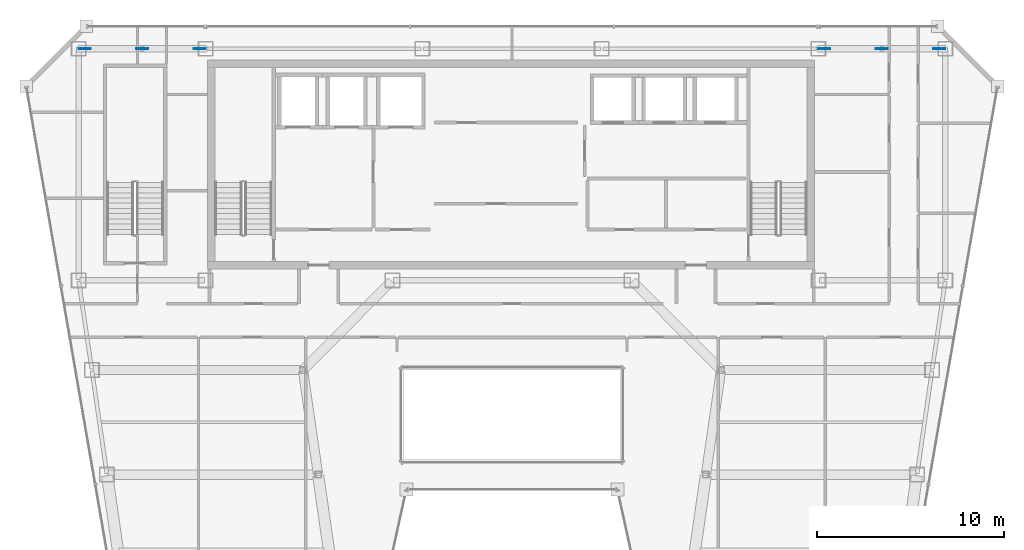
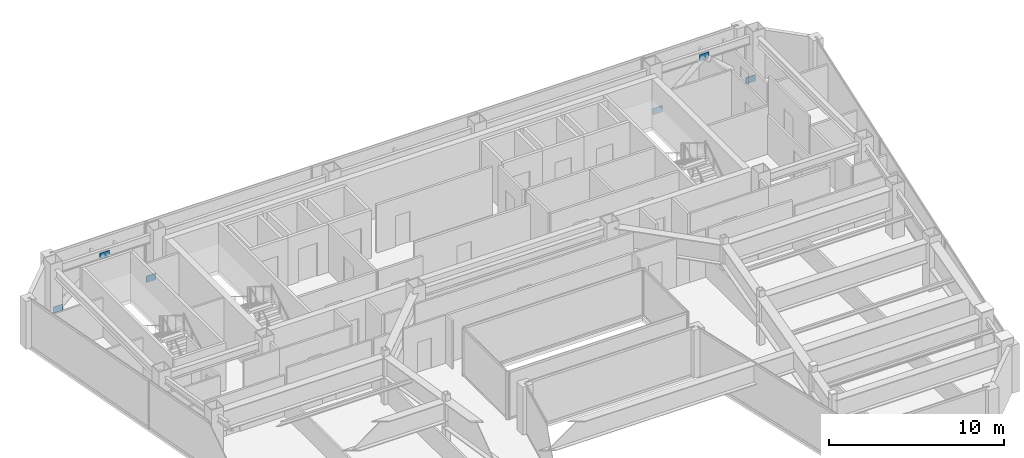
# One storey, part 27 of 35: 6 plates.
"""IFC4 building model written with IfcOpenShell, lengths in metres."""

from ifc_helpers import new_model, si_unit, direction, frame, origin, origin_2d, place, context, subcontext, project, spatial, rectangle, extrude, material, layer, layer_set, type_object, element, save


model = new_model("IFC4")

# Units and contexts
model_context = context("Model", 3, precision=1e-05, world=origin(), true_north=direction((0.0, 1.0)))
body_context = subcontext(model_context, "Body", "Model", "MODEL_VIEW")
ifc_project = project(units=[si_unit("LENGTHUNIT", "METRE"), si_unit("AREAUNIT", "SQUARE_METRE"), si_unit("VOLUMEUNIT", "CUBIC_METRE"), si_unit("PLANEANGLEUNIT", "RADIAN"), si_unit("MASSUNIT", "GRAM", prefix="KILO")], contexts=[model_context])

# Site, building, storey
site_placement = place(None, origin())
site = spatial("IfcSite", under=ifc_project, at=site_placement, CompositionType="ELEMENT")
building_placement = place(site_placement, origin())
building = spatial("IfcBuilding", under=site, at=building_placement, Name="Saevonmaru Cultural Tower", CompositionType="ELEMENT")
storey_placement = place(building_placement, frame((0.0, 0.0, 249.60009765625)))
storey = spatial("IfcBuildingStorey", under=building, at=storey_placement, Name="L58", CompositionType="ELEMENT", Elevation=249.60009765625)

# Plates
ifc_material = material(Name="Steel HSA600 (600 MPa)", Category="steel")
ifc_layer = layer(ifc_material, 0.0400390625, Name="Steel HSA600 (600 MPa)")
ifc_layer_set = layer_set([ifc_layer], Name="Steel HSA600 (600 MPa)")
plate_type = type_object("IfcPlateType", Name="PL-GUSSET-EXT", PredefinedType="USERDEFINED", material=ifc_layer_set)
for number, where, z_axis, x_axis, name in (
    (1, (10.199951171875, 54.800048828125, 2.699951171875), (0.0, 0.0, 1.0), (1.0, 0.0, 0.0), "L58 Perimeter Tube Gusset Plate"),
    (2, (7.1201171875, 54.800048828125, 0.02001953125), (0.0, 0.0, 1.0), (1.0, 0.0, 0.0), "L58 Perimeter Tube Gusset Plate"),
    (3, (13.280029296875, 54.800048828125, 0.02001953125), (0.0, 0.0, 1.0), (1.0, 0.0, 0.0), "L58 Perimeter Tube Gusset Plate"),
    (4, (49.800048828125, 54.800048828125, 2.699951171875), (0.0, 0.0, 1.0), (1.0, 0.0, 0.0), "L58 Perimeter Tube Gusset Plate"),
    (5, (46.719970703125, 54.800048828125, 0.02001953125), (0.0, 0.0, 1.0), (1.0, 0.0, 0.0), "L58 Perimeter Tube Gusset Plate"),
    (6, (52.8798828125, 54.800048828125, 0.02001953125), (0.0, 0.0, 1.0), (1.0, 0.0, 0.0), "L58 Perimeter Tube Gusset Plate"),
):
    element("IfcPlate", number, at=place(storey_placement, frame(where, z_axis=z_axis, x_axis=x_axis)), inside=storey, type_object=plate_type, Name=name, ObjectType="GUSSET_PLATE", PredefinedType="USERDEFINED", context=body_context, shape_type="SweptSolid", body=[
        extrude(rectangle(XDim=0.639892578125, YDim=0.0400390625, at=origin_2d()), origin(), (0.0, 0.0, 1.0), 0.43994140625),
    ])

save(model, "model.ifc")
